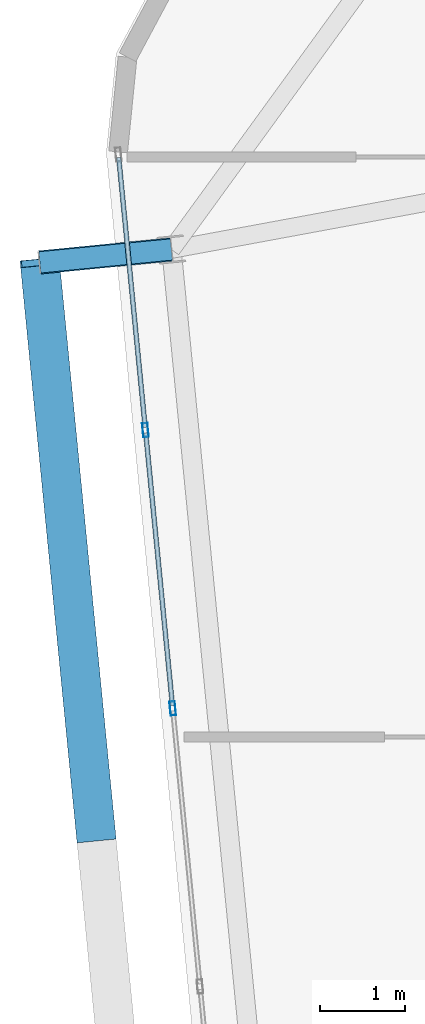
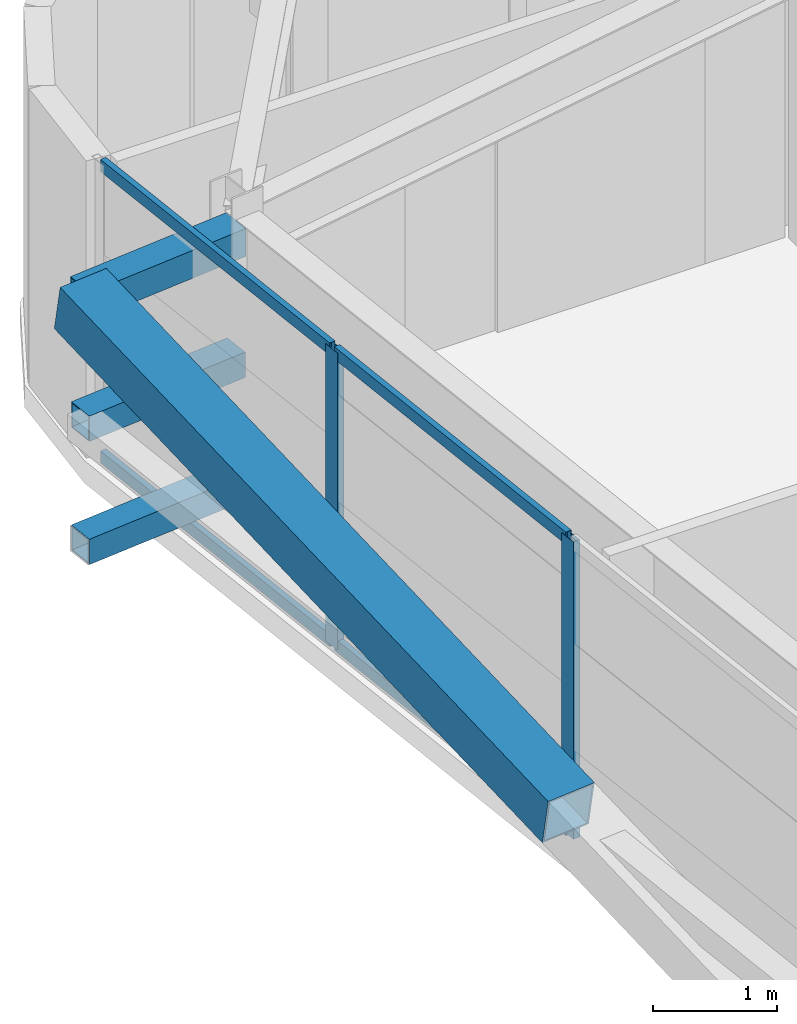
# One storey, part 15 of 52: 10 members, 1 element without a shape of its own.
"""IFC4 building model written with IfcOpenShell, lengths in metres."""

from ifc_helpers import new_model, si_unit, direction, frame, origin, origin_2d, place, context, subcontext, project, spatial, hollow_rectangle, extrude, source, transform, mapped, material, layer, layer_set, material_profile, profile_set, type_object, element, aggregate, save


model = new_model("IFC4")

# Units and contexts
model_context = context("Model", 3, precision=1e-05, world=origin(), true_north=direction((0.0, 1.0)))
body_context = subcontext(model_context, "Body", "Model", "MODEL_VIEW")
ifc_project = project(units=[si_unit("LENGTHUNIT", "METRE"), si_unit("AREAUNIT", "SQUARE_METRE"), si_unit("VOLUMEUNIT", "CUBIC_METRE"), si_unit("PLANEANGLEUNIT", "RADIAN"), si_unit("MASSUNIT", "GRAM", prefix="KILO")], contexts=[model_context])

# Site, building, storey
site_placement = place(None, origin())
site = spatial("IfcSite", under=ifc_project, at=site_placement, CompositionType="ELEMENT")
building_placement = place(site_placement, origin())
building = spatial("IfcBuilding", under=site, at=building_placement, Name="Taldren Reach Tower", CompositionType="ELEMENT")
storey_placement = place(building_placement, frame((0.0, 0.0, 96.60009765625)))
storey = spatial("IfcBuildingStorey", under=building, at=storey_placement, Name="L29", CompositionType="ELEMENT", Elevation=96.60009765625)

# Members
ifc_material_1 = material(Name="Steel Gr 450 (C450L0)", Category="steel")
ifc_material_profile_1 = material_profile(ifc_material_1, hollow_rectangle(XDim=0.27490234375, YDim=0.27490234375, WallThickness=0.00927734375, at=origin_2d()), Name="275x275x9.3SHS")
ifc_profile_set_1 = profile_set([ifc_material_profile_1], Name="Steel Gr 450 (C450L0)")
member_type_1 = type_object("IfcMemberType", Name="MB-TIE273", PredefinedType="STRUT", material=ifc_profile_set_1)
shared_shape_1 = source(origin(), body_context, "Body", "SweptSolid", [
    extrude(hollow_rectangle(XDim=0.27490234375, YDim=0.27490234375, WallThickness=0.00927734375, at=origin_2d()), origin(), (0.0, 0.0, 1.0), 1.550048828125),
])
member_1_placement = place(storey_placement, frame((8.808349609375, 30.116455078125, 2.64990234375), z_axis=(-0.9952210252, -0.097647892962, 0.0), x_axis=(0.097647892962, -0.9952210252, 0.0)))
element("IfcMember", 1, at=member_1_placement, inside=storey, type_object=member_type_1, Name="Exoskeleton diaphragm tie strut B2-W3 L29", PredefinedType="STRUT", context=body_context, shape_type="MappedRepresentation", body=[
    mapped(shared_shape_1, transform((0.0, 0.0, 0.0), scale=1.0)),
])
ifc_material_2 = material(Name="Steel Gr 350 (C350L0)", Category="steel")
ifc_material_profile_2 = material_profile(ifc_material_2, hollow_rectangle(XDim=0.25, YDim=0.25, WallThickness=0.010009765625, at=origin_2d()), Name="250x250x10.0SHS")
ifc_profile_set_2 = profile_set([ifc_material_profile_2], Name="Steel Gr 350 (C350L0)")
member_type_2 = type_object("IfcMemberType", Name="MB-POST250", PredefinedType="POST", material=ifc_profile_set_2)
shared_shape_2 = source(origin(), body_context, "Body", "SweptSolid", [
    extrude(hollow_rectangle(XDim=0.25, YDim=0.25, WallThickness=0.010009765625, at=origin_2d()), origin(), (0.0, 0.0, 1.0), 1.550048828125),
])
for number, where, z_axis, x_axis, name in (
    (2, (8.808349609375, 30.116455078125, 0.219970703125), (-0.9952210252, -0.097647892962, 0.0), (0.097647892962, -0.9952210252, 0.0), "Exoskeleton base diaphragm tie strut B2-W3 L29"),
    (3, (8.808349609375, 30.116455078125, 1.434814453125), (-0.9952210252, -0.097647892962, 0.0), (0.097647892962, -0.9952210252, 0.0), "Exoskeleton mid-tier diaphragm tie B2-W3 L29"),
):
    element("IfcMember", number, at=place(storey_placement, frame(where, z_axis=z_axis, x_axis=x_axis)), inside=storey, type_object=member_type_2, Name=name, PredefinedType="POST", context=body_context, shape_type="MappedRepresentation", body=[
        mapped(shared_shape_2, transform((0.0, 0.0, 0.0), scale=1.0)),
    ])
ifc_material_profile_3 = material_profile(ifc_material_1, hollow_rectangle(XDim=0.4599609375, YDim=0.4599609375, WallThickness=0.01611328125, at=origin_2d()), Name="460x460x16.0SHS")
ifc_profile_set_3 = profile_set([ifc_material_profile_3], Name="Steel Gr 450 (C450L0)")
member_type_3 = type_object("IfcMemberType", Name="MB-EXO457", PredefinedType="BRACE", material=ifc_profile_set_3)
shared_shape_3 = source(origin(), body_context, "Body", "SweptSolid", [
    extrude(hollow_rectangle(XDim=0.4599609375, YDim=0.4599609375, WallThickness=0.01611328125, at=origin_2d()), origin(), (0.0, 0.0, 1.0), 6.883056640625),
])
member_2_placement = place(storey_placement, frame((7.9267578125, 23.222412109375, 1.434814453125), z_axis=(-0.09605145821, 0.97959718347, 0.176531797456), x_axis=(-0.995227290009, -0.097584021339, 0.0)))
element("IfcMember", 4, at=member_2_placement, inside=storey, type_object=member_type_3, Name="Exoskeleton Diagrid Brace B2-W2 L29", PredefinedType="BRACE", context=body_context, shape_type="MappedRepresentation", body=[
    mapped(shared_shape_3, transform((0.0, 0.0, 0.0), scale=1.0)),
])

# Curtain wall, members
ifc_material_3 = material(Name="Aluminium and Low-E Glass Unitised System", Category="aluminium")
ifc_layer = layer(ifc_material_3, 0.159912109375)
ifc_layer_set = layer_set([ifc_layer], Name="Aluminium and Low-E Glass Unitised System")
curtain_wall_type = type_object("IfcCurtainWallType", Name="CW-SYS-3", PredefinedType="NOTDEFINED", material=ifc_layer_set)
curtain_wall_placement = place(storey_placement, origin())
curtain_wall = element("IfcCurtainWall", 5, at=curtain_wall_placement, inside=storey, type_object=curtain_wall_type, Name="Unitised curtain wall CW-L29-W", PredefinedType="NOTDEFINED")
ifc_material_4 = material(Name="Anodised Aluminium 6063-T6", Category="aluminium")
ifc_material_profile_4 = material_profile(ifc_material_4, hollow_rectangle(XDim=0.06494140625, YDim=0.1650390625, WallThickness=0.00390625, at=origin_2d()), Name="ALU-165x65x4RHS")
ifc_profile_set_4 = profile_set([ifc_material_profile_4], Name="Anodised Aluminium 6063-T6")
member_type_4 = type_object("IfcMemberType", Name="CW-MUL-165", PredefinedType="MULLION", material=ifc_profile_set_4)
shared_shape_4 = source(origin(), body_context, "Body", "SweptSolid", [
    extrude(hollow_rectangle(XDim=0.06494140625, YDim=0.1650390625, WallThickness=0.00390625, at=origin_2d()), origin(), (0.0, 0.0, 1.0), 2.929931640625),
])
member_3_placement = place(storey_placement, frame((8.50341796875, 27.998779296875, 0.0), z_axis=(0.0, 0.0, 1.0), x_axis=(0.99522741555, 0.09758274098, 0.0)))
member_3 = element("IfcMember", 6, at=member_3_placement, type_object=member_type_4, Name="CW-3 mullion 2", PredefinedType="MULLION", context=body_context, shape_type="MappedRepresentation", body=[
    mapped(shared_shape_4, transform((0.0, 0.0, 0.0), scale=1.0)),
])
member_4_placement = place(storey_placement, frame((8.8232421875, 24.736572265625, 0.0), z_axis=(0.0, 0.0, 1.0), x_axis=(0.99522741555, 0.09758274098, 0.0)))
member_4 = element("IfcMember", 7, at=member_4_placement, type_object=member_type_4, Name="CW-3 mullion 3", PredefinedType="MULLION", context=body_context, shape_type="MappedRepresentation", body=[
    mapped(shared_shape_4, transform((0.0, 0.0, 0.0), scale=1.0)),
])
ifc_material_profile_5 = material_profile(ifc_material_4, hollow_rectangle(XDim=0.054931640625, YDim=0.1201171875, WallThickness=0.0029296875, at=origin_2d()), Name="ALU-120x55x3RHS")
ifc_profile_set_5 = profile_set([ifc_material_profile_5], Name="Anodised Aluminium 6063-T6")
member_type_5 = type_object("IfcMemberType", Name="CW-TRN-135", PredefinedType="USERDEFINED", material=ifc_profile_set_5)
shared_shape_5 = source(origin(), body_context, "Body", "SweptSolid", [
    extrude(hollow_rectangle(XDim=0.054931640625, YDim=0.1201171875, WallThickness=0.0029296875, at=origin_2d()), origin(), (0.0, 0.0, 1.0), 3.18017578125),
])
member_5_placement = place(storey_placement, frame((8.18994140625, 31.1962890625, 0.02734375), z_axis=(0.097572914968, -0.995228378949, 0.0), x_axis=(0.995228378949, 0.097572914968, 0.0)))
member_5 = element("IfcMember", 8, at=member_5_placement, type_object=member_type_5, Name="CW-3 transom 1.1", ObjectType="TRANSOM", PredefinedType="USERDEFINED", context=body_context, shape_type="MappedRepresentation", body=[
    mapped(shared_shape_5, transform((0.0, 0.0, 0.0), scale=1.0)),
])
member_6_placement = place(storey_placement, frame((8.18994140625, 31.1962890625, 2.90234375), z_axis=(0.097572914968, -0.995228378949, 0.0), x_axis=(0.995228378949, 0.097572914968, 0.0)))
member_6 = element("IfcMember", 9, at=member_6_placement, type_object=member_type_5, Name="CW-3 transom 1.2", ObjectType="TRANSOM", PredefinedType="USERDEFINED", context=body_context, shape_type="MappedRepresentation", body=[
    mapped(shared_shape_5, transform((0.0, 0.0, 0.0), scale=1.0)),
])
shared_shape_6 = source(origin(), body_context, "Body", "SweptSolid", [
    extrude(hollow_rectangle(XDim=0.054931640625, YDim=0.1201171875, WallThickness=0.0029296875, at=origin_2d()), origin(), (0.0, 0.0, 1.0), 3.212890625),
])
member_7_placement = place(storey_placement, frame((8.506591796875, 27.966552734375, 0.02734375), z_axis=(0.097569948235, -0.995228669805, 0.0), x_axis=(0.995228669805, 0.097569948235, 0.0)))
member_7 = element("IfcMember", 10, at=member_7_placement, type_object=member_type_5, Name="CW-3 transom 2.1", ObjectType="TRANSOM", PredefinedType="USERDEFINED", context=body_context, shape_type="MappedRepresentation", body=[
    mapped(shared_shape_6, transform((0.0, 0.0, 0.0), scale=1.0)),
])
member_8_placement = place(storey_placement, frame((8.506591796875, 27.966552734375, 2.90234375), z_axis=(0.097569948235, -0.995228669805, 0.0), x_axis=(0.995228669805, 0.097569948235, 0.0)))
member_8 = element("IfcMember", 11, at=member_8_placement, type_object=member_type_5, Name="CW-3 transom 2.2", ObjectType="TRANSOM", PredefinedType="USERDEFINED", context=body_context, shape_type="MappedRepresentation", body=[
    mapped(shared_shape_6, transform((0.0, 0.0, 0.0), scale=1.0)),
])
aggregate(curtain_wall, [member_3, member_4, member_5, member_6, member_7, member_8])

save(model, "model.ifc")
